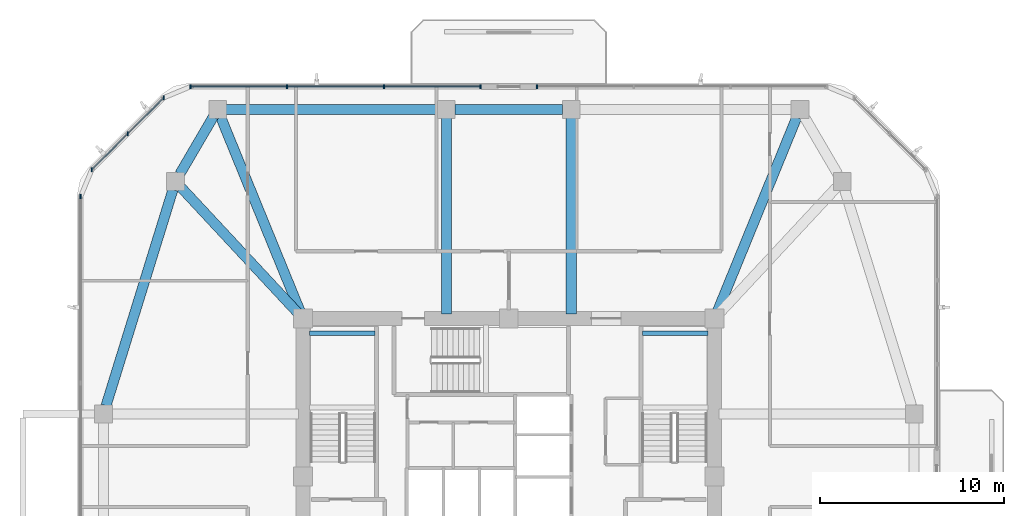
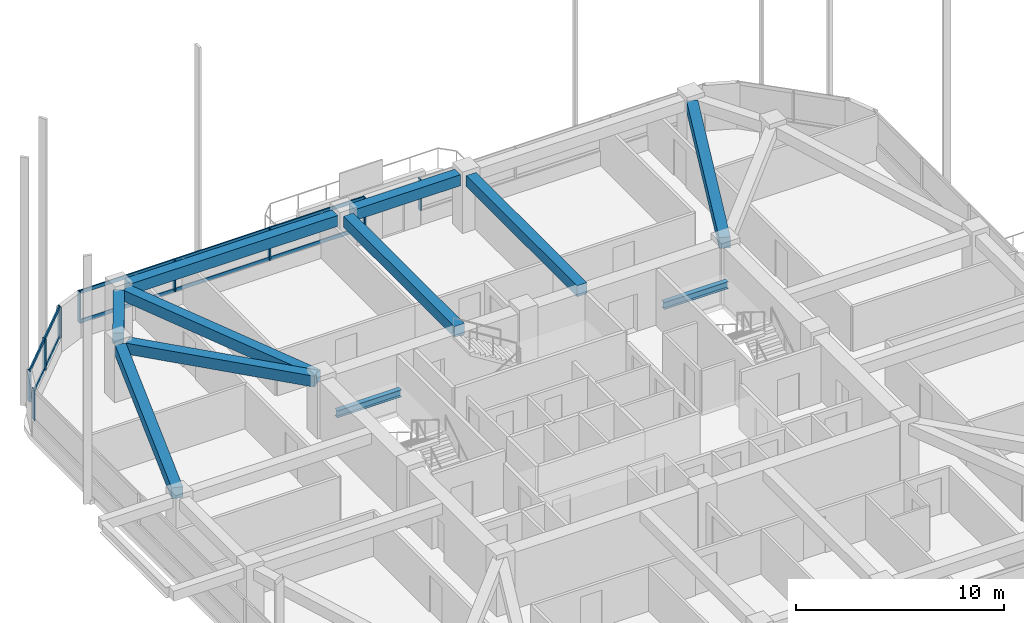
# One storey, part 5 of 14: 13 members, 11 beams, 4 elements without a shape of their own.
"""IFC4 building model written with IfcOpenShell, lengths in metres."""

from ifc_helpers import new_model, si_unit, derived_unit, direction, frame, origin, origin_2d, place, context, subcontext, project, spatial, rectangle, i_section, extrude, material, material_profile, profile_set, type_object, element, aggregate, save


model = new_model("IFC4")

# Units and contexts
model_context = context("Model", 3, precision=1e-05, world=origin(), true_north=direction((0.0, 1.0)))
body_context = subcontext(model_context, "Body", "Model", "MODEL_VIEW")
ifc_project = project(units=[si_unit("LENGTHUNIT", "METRE"), si_unit("AREAUNIT", "SQUARE_METRE"), si_unit("VOLUMEUNIT", "CUBIC_METRE"), si_unit("PLANEANGLEUNIT", "RADIAN"), si_unit("MASSUNIT", "GRAM", prefix="KILO"), derived_unit("THERMALTRANSMITTANCEUNIT", [(si_unit("POWERUNIT", "WATT"), 1), (si_unit("LENGTHUNIT", "METRE"), -2), (si_unit("THERMODYNAMICTEMPERATUREUNIT", "KELVIN"), -1)])], contexts=[model_context])

# Site, building, storey
site_placement = place(None, origin())
site = spatial("IfcSite", under=ifc_project, at=site_placement, CompositionType="ELEMENT")
building_placement = place(site_placement, origin())
building = spatial("IfcBuilding", under=site, at=building_placement, Name="Koralith Skygarden Medical Center", CompositionType="ELEMENT")
storey_placement = place(building_placement, frame((0.0, 0.0, 160.02001953125)))
storey = spatial("IfcBuildingStorey", under=building, at=storey_placement, Name="L41", CompositionType="ELEMENT", Elevation=160.02001953125)

# Curtain wall, member
ifc_material_1 = material(Name="Clear Laminated Glass", Category="glass")
curtain_wall_type = type_object("IfcCurtainWallType", Name="CW-4 Zone 3 Waist High-Wind Curtain Wall", PredefinedType="NOTDEFINED", material=ifc_material_1)
curtain_wall_1_placement = place(storey_placement, origin())
curtain_wall_1 = element("IfcCurtainWall", 1, at=curtain_wall_1_placement, inside=storey, type_object=curtain_wall_type, Name="Curtain Wall CW-L41-N-L", PredefinedType="NOTDEFINED")
ifc_material_2 = material(Name="Aluminium 6063-T6", Category="aluminium")
ifc_material_profile_1 = material_profile(ifc_material_2, rectangle(XDim=0.076904296875, YDim=0.22998046875, at=origin_2d()), Name="MUL77X230")
ifc_profile_set_1 = profile_set([ifc_material_profile_1], Name="Aluminium 6063-T6")
member_type_1 = type_object("IfcMemberType", Name="CW-4 Extruded Mullion 77x230", PredefinedType="MULLION", material=ifc_profile_set_1)
member_1_placement = place(storey_placement, frame((38.541015625, 47.1201171875, 0.85009765625), z_axis=(0.0, 0.0, 1.0), x_axis=(1.0, 0.0, 0.0)))
member_1 = element("IfcMember", 2, at=member_1_placement, type_object=member_type_1, Name="CW-L41-N-L Mullion 4", PredefinedType="MULLION", context=body_context, shape_type="SweptSolid", body=[
    extrude(rectangle(XDim=0.076904296875, YDim=0.22998046875, at=origin_2d()), origin(), (0.0, 0.0, 1.0), 1.81982421875),
])
aggregate(curtain_wall_1, [member_1])

# Curtain wall, members
curtain_wall_2_placement = place(storey_placement, origin())
curtain_wall_2 = element("IfcCurtainWall", 3, at=curtain_wall_2_placement, inside=storey, type_object=curtain_wall_type, Name="Curtain Wall CW-L41-N-R", PredefinedType="NOTDEFINED")
member_2_placement = place(storey_placement, frame((35.4609375, 47.1201171875, 0.85009765625), z_axis=(0.0, 0.0, 1.0), x_axis=(1.0, 0.0, 0.0)))
member_2 = element("IfcMember", 4, at=member_2_placement, type_object=member_type_1, Name="CW-L41-N-R Mullion 1", PredefinedType="MULLION", context=body_context, shape_type="SweptSolid", body=[
    extrude(rectangle(XDim=0.076904296875, YDim=0.22998046875, at=origin_2d()), origin(), (0.0, 0.0, 1.0), 1.81982421875),
])
member_3_placement = place(storey_placement, frame((30.197998046875, 47.1201171875, 0.85009765625), z_axis=(0.0, 0.0, 1.0), x_axis=(1.0, 0.0, 0.0)))
member_3 = element("IfcMember", 5, at=member_3_placement, type_object=member_type_1, Name="CW-L41-N-R Mullion 2", PredefinedType="MULLION", context=body_context, shape_type="SweptSolid", body=[
    extrude(rectangle(XDim=0.076904296875, YDim=0.22998046875, at=origin_2d()), origin(), (0.0, 0.0, 1.0), 1.81982421875),
])
member_4_placement = place(storey_placement, frame((24.93408203125, 47.1201171875, 0.85009765625), z_axis=(0.0, 0.0, 1.0), x_axis=(1.0, 0.0, 0.0)))
member_4 = element("IfcMember", 6, at=member_4_placement, type_object=member_type_1, Name="CW-L41-N-R Mullion 3", PredefinedType="MULLION", context=body_context, shape_type="SweptSolid", body=[
    extrude(rectangle(XDim=0.076904296875, YDim=0.22998046875, at=origin_2d()), origin(), (0.0, 0.0, 1.0), 1.81982421875),
])
member_5_placement = place(storey_placement, frame((19.6708984375, 47.1201171875, 0.85009765625), z_axis=(0.0, 0.0, 1.0), x_axis=(1.0, 0.0, 0.0)))
member_5 = element("IfcMember", 7, at=member_5_placement, type_object=member_type_1, Name="CW-L41-N-R Mullion 4", PredefinedType="MULLION", context=body_context, shape_type="SweptSolid", body=[
    extrude(rectangle(XDim=0.076904296875, YDim=0.22998046875, at=origin_2d()), origin(), (0.0, 0.0, 1.0), 1.81982421875),
])

curtain_wall_3_placement = place(storey_placement, origin())
curtain_wall_3 = element("IfcCurtainWall", 8, at=curtain_wall_3_placement, inside=storey, type_object=curtain_wall_type, Name="Curtain Wall CW-L41-NW", PredefinedType="NOTDEFINED")
member_6_placement = place(storey_placement, frame((18.219970703125, 46.51904296875, 0.85009765625), z_axis=(0.0, 0.0, 1.0), x_axis=(1.0, 0.0, 0.0)))
member_6 = element("IfcMember", 9, at=member_6_placement, type_object=member_type_1, Name="CW-L41-NW Mullion 1", PredefinedType="MULLION", context=body_context, shape_type="SweptSolid", body=[
    extrude(rectangle(XDim=0.076904296875, YDim=0.22998046875, at=origin_2d()), origin(), (0.0, 0.0, 1.0), 1.81982421875),
])
member_7_placement = place(storey_placement, frame((16.258056640625, 44.556884765625, 0.85009765625), z_axis=(0.0, 0.0, 1.0), x_axis=(1.0, 0.0, 0.0)))
member_7 = element("IfcMember", 10, at=member_7_placement, type_object=member_type_1, Name="CW-L41-NW Mullion 2", PredefinedType="MULLION", context=body_context, shape_type="SweptSolid", body=[
    extrude(rectangle(XDim=0.076904296875, YDim=0.22998046875, at=origin_2d()), origin(), (0.0, 0.0, 1.0), 1.81982421875),
])
member_8_placement = place(storey_placement, frame((14.297119140625, 42.595947265625, 0.85009765625), z_axis=(0.0, 0.0, 1.0), x_axis=(1.0, 0.0, 0.0)))
member_8 = element("IfcMember", 11, at=member_8_placement, type_object=member_type_1, Name="CW-L41-NW Mullion 3", PredefinedType="MULLION", context=body_context, shape_type="SweptSolid", body=[
    extrude(rectangle(XDim=0.076904296875, YDim=0.22998046875, at=origin_2d()), origin(), (0.0, 0.0, 1.0), 1.81982421875),
])

# Curtain wall, member
curtain_wall_4_placement = place(storey_placement, origin())
curtain_wall_4 = element("IfcCurtainWall", 12, at=curtain_wall_4_placement, inside=storey, type_object=curtain_wall_type, Name="Curtain Wall CW-L41-W", PredefinedType="NOTDEFINED")
member_9_placement = place(storey_placement, frame((13.696044921875, 41.14501953125, 0.85009765625), z_axis=(0.0, 0.0, 1.0), x_axis=(1.0, 0.0, 0.0)))
member_9 = element("IfcMember", 13, at=member_9_placement, type_object=member_type_1, Name="CW-L41-W Mullion 1", PredefinedType="MULLION", context=body_context, shape_type="SweptSolid", body=[
    extrude(rectangle(XDim=0.076904296875, YDim=0.22998046875, at=origin_2d()), origin(), (0.0, 0.0, 1.0), 1.81982421875),
])
aggregate(curtain_wall_4, [member_9])

# Member
ifc_material_profile_2 = material_profile(ifc_material_2, rectangle(XDim=0.072021484375, YDim=0.20703125, at=origin_2d()), Name="TRN72X207")
ifc_profile_set_2 = profile_set([ifc_material_profile_2], Name="Aluminium 6063-T6")
member_type_2 = type_object("IfcMemberType", Name="CW-4 Thermal Transom 72x207", PredefinedType="USERDEFINED", material=ifc_profile_set_2)
member_10_placement = place(storey_placement, frame((35.4609375, 47.1201171875, 0.89990234375), z_axis=(-1.0, 0.0, 0.0), x_axis=(0.0, -1.0, 0.0)))
member_10 = element("IfcMember", 14, at=member_10_placement, type_object=member_type_2, Name="CW-L41-N-R Transom 1", ObjectType="TRANSOM", PredefinedType="USERDEFINED", context=body_context, shape_type="SweptSolid", body=[
    extrude(rectangle(XDim=0.072021484375, YDim=0.20703125, at=origin_2d()), origin(), (0.0, 0.0, 1.0), 15.7900390625),
])

member_11_placement = place(storey_placement, frame((35.4609375, 47.1201171875, 2.619873046875), z_axis=(-1.0, 0.0, 0.0), x_axis=(0.0, -1.0, 0.0)))
member_11 = element("IfcMember", 15, at=member_11_placement, type_object=member_type_2, Name="CW-L41-N-R Transom 2", ObjectType="TRANSOM", PredefinedType="USERDEFINED", context=body_context, shape_type="SweptSolid", body=[
    extrude(rectangle(XDim=0.072021484375, YDim=0.20703125, at=origin_2d()), origin(), (0.0, 0.0, 1.0), 15.7900390625),
])

aggregate(curtain_wall_2, [member_2, member_3, member_4, member_5, member_10, member_11])

member_12_placement = place(storey_placement, frame((18.219970703125, 46.51904296875, 0.89990234375), z_axis=(-0.707084777957, -0.707128783731, 0.0), x_axis=(0.707128783731, -0.707084777957, 0.0)))
member_12 = element("IfcMember", 16, at=member_12_placement, type_object=member_type_2, Name="CW-L41-NW Transom 1", ObjectType="TRANSOM", PredefinedType="USERDEFINED", context=body_context, shape_type="SweptSolid", body=[
    extrude(rectangle(XDim=0.072021484375, YDim=0.20703125, at=origin_2d()), origin(), (0.0, 0.0, 1.0), 5.5478515625),
])

member_13_placement = place(storey_placement, frame((18.219970703125, 46.51904296875, 2.619873046875), z_axis=(-0.707084777957, -0.707128783731, 0.0), x_axis=(0.707128783731, -0.707084777957, 0.0)))
member_13 = element("IfcMember", 17, at=member_13_placement, type_object=member_type_2, Name="CW-L41-NW Transom 2", ObjectType="TRANSOM", PredefinedType="USERDEFINED", context=body_context, shape_type="SweptSolid", body=[
    extrude(rectangle(XDim=0.072021484375, YDim=0.20703125, at=origin_2d()), origin(), (0.0, 0.0, 1.0), 5.5478515625),
])

aggregate(curtain_wall_3, [member_6, member_7, member_8, member_12, member_13])

# Beams
ifc_material_3 = material(Name="Steel ASTM A992 Grade 50", Category="steel")
ifc_material_profile_3 = material_profile(ifc_material_3, i_section(OverallWidth=0.260009765625, OverallDepth=0.4150390625, WebThickness=0.010009765625, FlangeThickness=0.016845703125, at=origin_2d()), Name="W16X67")
ifc_profile_set_3 = profile_set([ifc_material_profile_3], Name="Steel ASTM A992 Grade 50")
beam_type_1 = type_object("IfcBeamType", Name="Clinical Floor Joist W16X67", PredefinedType="JOIST", material=ifc_profile_set_3)
for number, where, z_axis, x_axis, name in (
    (18, (26.155029296875, 33.699951171875, 1.39208984375), (1.0, 0.0, 0.0), (0.0, 1.0, 0.0), "L41 Stair ST1 Half-Landing Support Beam 1B"),
    (19, (44.280029296875, 33.699951171875, 1.39208984375), (1.0, 0.0, 0.0), (0.0, 1.0, 0.0), "L41 Stair ST2 Half-Landing Support Beam 1B"),
):
    element("IfcBeam", number, at=place(storey_placement, frame(where, z_axis=z_axis, x_axis=x_axis)), inside=storey, type_object=beam_type_1, Name=name, PredefinedType="JOIST", context=body_context, shape_type="SweptSolid", body=[
        extrude(i_section(OverallWidth=0.260009765625, OverallDepth=0.4150390625, WebThickness=0.010009765625, FlangeThickness=0.016845703125, at=origin_2d()), origin(), (0.0, 0.0, 1.0), 3.56494140625),
    ])
ifc_material_4 = material(Name="Concrete C45/55", Category="concrete")
ifc_material_profile_4 = material_profile(ifc_material_4, rectangle(XDim=0.550048828125, YDim=0.639892578125, at=origin_2d()), Name="RCB550X640")
ifc_profile_set_4 = profile_set([ifc_material_profile_4], Name="Concrete C45/55")
beam_type_2 = type_object("IfcBeamType", Name="Radial Collector Beam RCB550X640", PredefinedType="BEAM", material=ifc_profile_set_4)
beam_1_placement = place(storey_placement, frame((48.294921875, 34.73095703125, 3.0), z_axis=(0.378344544364, 0.92566484526, 0.0), x_axis=(-0.92566484526, 0.378344544364, 0.0)))
element("IfcBeam", 20, at=beam_1_placement, inside=storey, type_object=beam_type_2, Name="L41 Radial Collector Beam RB-11", PredefinedType="BEAM", context=body_context, shape_type="SweptSolid", body=[
    extrude(rectangle(XDim=0.550048828125, YDim=0.639892578125, at=origin_2d()), origin(), (0.0, 0.0, 1.0), 11.574462890625),
])
for number, where, z_axis, x_axis, name in (
    (21, (40.39990234375, 34.75, 3.0), (0.0, 1.0, 0.0), (-1.0, 0.0, 0.0), "L41 Radial Collector Beam RB-12"),
    (22, (33.60009765625, 34.75, 3.0), (0.0, 1.0, 0.0), (-1.0, 0.0, 0.0), "L41 Radial Collector Beam RB-13"),
):
    element("IfcBeam", number, at=place(storey_placement, frame(where, z_axis=z_axis, x_axis=x_axis)), inside=storey, type_object=beam_type_2, Name=name, PredefinedType="BEAM", context=body_context, shape_type="SweptSolid", body=[
        extrude(rectangle(XDim=0.550048828125, YDim=0.639892578125, at=origin_2d()), origin(), (0.0, 0.0, 1.0), 10.659912109375),
    ])
beam_2_placement = place(storey_placement, frame((25.705078125, 34.73095703125, 3.0), z_axis=(-0.378344544364, 0.92566484526, 0.0), x_axis=(-0.92566484526, -0.378344544364, 0.0)))
element("IfcBeam", 23, at=beam_2_placement, inside=storey, type_object=beam_type_2, Name="L41 Radial Collector Beam RB-14", PredefinedType="BEAM", context=body_context, shape_type="SweptSolid", body=[
    extrude(rectangle(XDim=0.550048828125, YDim=0.639892578125, at=origin_2d()), origin(), (0.0, 0.0, 1.0), 11.574462890625),
])
beam_3_placement = place(storey_placement, frame((25.6298828125, 34.68310546875, 3.0), z_axis=(-0.681369011591, 0.731940072713, 0.0), x_axis=(-0.731940072713, -0.681369011591, 0.0)))
element("IfcBeam", 24, at=beam_3_placement, inside=storey, type_object=beam_type_2, Name="L41 Radial Collector Beam RB-15", PredefinedType="BEAM", context=body_context, shape_type="SweptSolid", body=[
    extrude(rectangle(XDim=0.550048828125, YDim=0.639892578125, at=origin_2d()), origin(), (0.0, 0.0, 1.0), 9.471923828125),
])
ifc_material_profile_5 = material_profile(ifc_material_4, rectangle(XDim=0.550048828125, YDim=0.639892578125, at=origin_2d()), Name="RCB550X640")
ifc_profile_set_5 = profile_set([ifc_material_profile_5], Name="Concrete C45/55")
beam_type_3 = type_object("IfcBeamType", Name="Zone 2-3 Spandrel Beam RCB550X640", PredefinedType="SPANDREL", material=ifc_profile_set_5)
beam_4_placement = place(storey_placement, frame((39.929931640625, 45.8798828125, 3.0), z_axis=(-1.0, 0.0, 0.0), x_axis=(0.0, -1.0, 0.0)))
element("IfcBeam", 25, at=beam_4_placement, inside=storey, type_object=beam_type_3, Name="L41 Perimeter Spandrel Beam SP-12", PredefinedType="SPANDREL", context=body_context, shape_type="SweptSolid", body=[
    extrude(rectangle(XDim=0.550048828125, YDim=0.639892578125, at=origin_2d()), origin(), (0.0, 0.0, 1.0), 5.85986328125),
])
beam_5_placement = place(storey_placement, frame((33.1298828125, 45.8798828125, 3.0), z_axis=(-1.0, 0.0, 0.0), x_axis=(0.0, -1.0, 0.0)))
element("IfcBeam", 26, at=beam_5_placement, inside=storey, type_object=beam_type_3, Name="L41 Perimeter Spandrel Beam SP-13", PredefinedType="SPANDREL", context=body_context, shape_type="SweptSolid", body=[
    extrude(rectangle(XDim=0.550048828125, YDim=0.639892578125, at=origin_2d()), origin(), (0.0, 0.0, 1.0), 11.511962890625),
])
beam_6_placement = place(storey_placement, frame((20.910888671875, 45.47412109375, 3.0), z_axis=(-0.504861391295, -0.863200426077, 0.0), x_axis=(0.863200426077, -0.504861391295, 0.0)))
element("IfcBeam", 27, at=beam_6_placement, inside=storey, type_object=beam_type_3, Name="L41 Perimeter Spandrel Beam SP-14", PredefinedType="SPANDREL", context=body_context, shape_type="SweptSolid", body=[
    extrude(rectangle(XDim=0.550048828125, YDim=0.639892578125, at=origin_2d()), origin(), (0.0, 0.0, 1.0), 3.600830078125),
])
beam_7_placement = place(storey_placement, frame((18.717041015625, 41.510986328125, 3.0), z_axis=(-0.295793585147, -0.955251880389, 0.0), x_axis=(0.955251880389, -0.295793585147, 0.0)))
element("IfcBeam", 28, at=beam_7_placement, inside=storey, type_object=beam_type_3, Name="L41 Perimeter Spandrel Beam SP-15", PredefinedType="SPANDREL", context=body_context, shape_type="SweptSolid", body=[
    extrude(rectangle(XDim=0.550048828125, YDim=0.639892578125, at=origin_2d()), origin(), (0.0, 0.0, 1.0), 12.31298828125),
])

save(model, "model.ifc")
